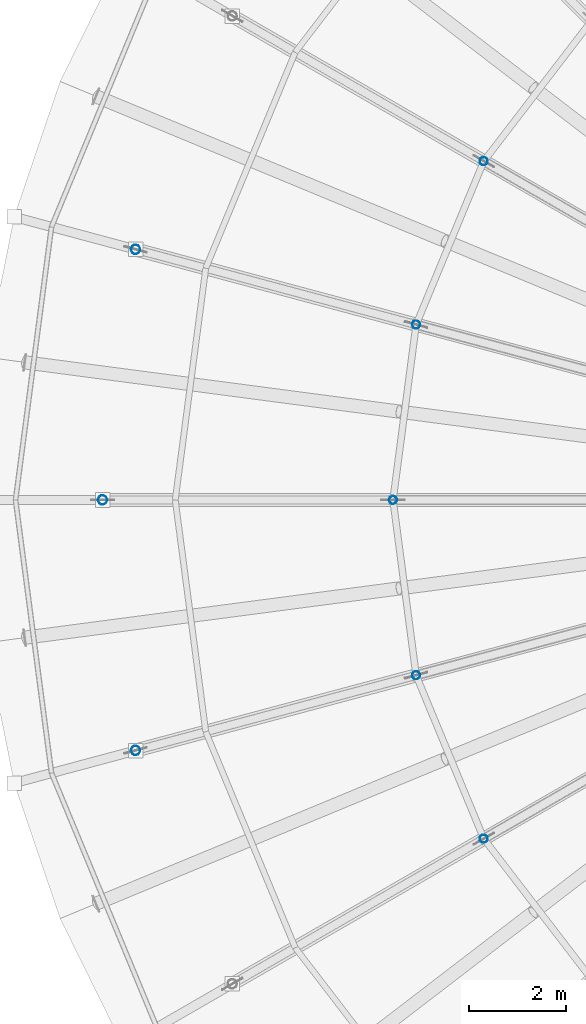
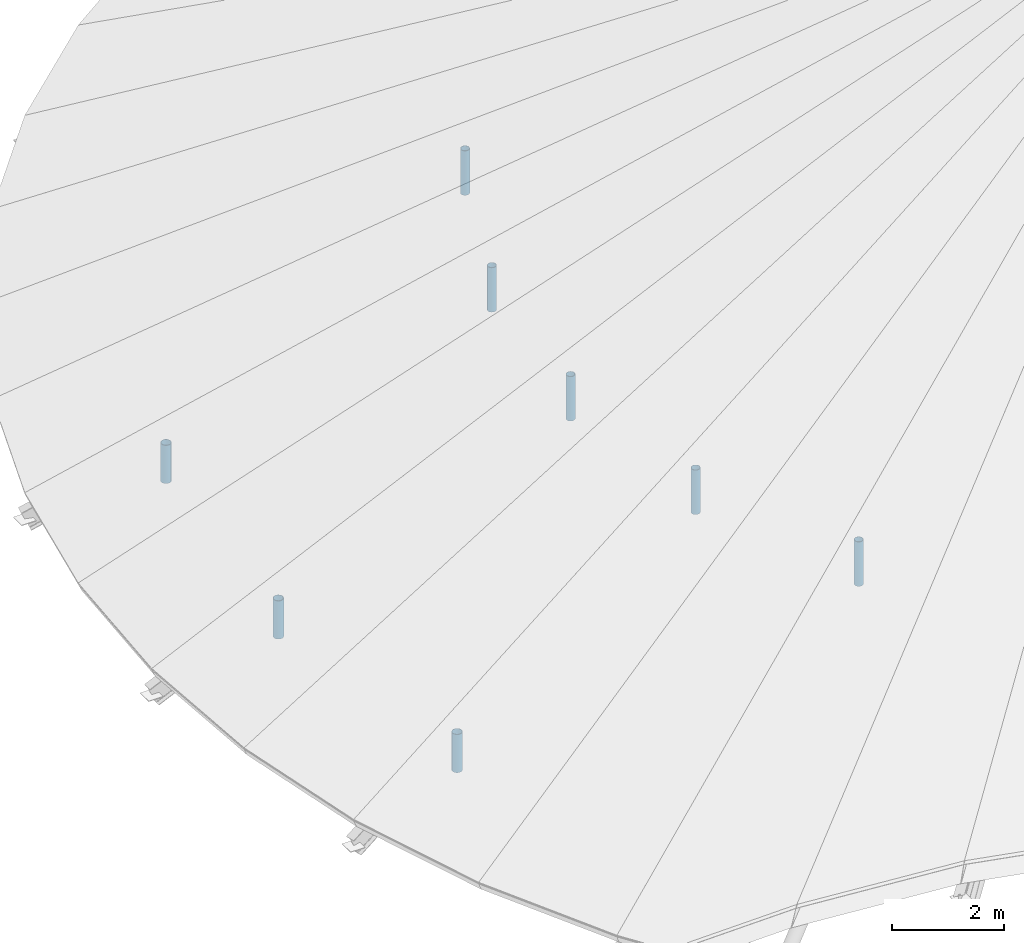
# One storey, part 71 of 107: 8 members.
"""IFC4 building model written with IfcOpenShell, lengths in metres."""

from ifc_helpers import new_model, si_unit, derived_unit, direction, frame, origin, origin_2d, place, context, subcontext, project, spatial, hollow_circle, extrude, material, material_profile, profile_set, type_object, element, save


model = new_model("IFC4")

# Units and contexts
model_context = context("Model", 3, precision=1e-05, world=origin(), true_north=direction((0.0, 1.0)))
body_context = subcontext(model_context, "Body", "Model", "MODEL_VIEW")
ifc_project = project(units=[si_unit("LENGTHUNIT", "METRE"), si_unit("AREAUNIT", "SQUARE_METRE"), si_unit("VOLUMEUNIT", "CUBIC_METRE"), si_unit("PLANEANGLEUNIT", "RADIAN"), si_unit("MASSUNIT", "GRAM", prefix="KILO"), si_unit("THERMODYNAMICTEMPERATUREUNIT", "KELVIN"), si_unit("TIMEUNIT", "SECOND"), derived_unit("THERMALTRANSMITTANCEUNIT", [(si_unit("MASSUNIT", "GRAM", prefix="KILO"), 1), (si_unit("THERMODYNAMICTEMPERATUREUNIT", "KELVIN"), -1), (si_unit("TIMEUNIT", "SECOND"), -3)])], contexts=[model_context])

# Site, building, storey
site_placement = place(None, origin())
site = spatial("IfcSite", under=ifc_project, at=site_placement, CompositionType="ELEMENT")
building_placement = place(site_placement, origin())
building = spatial("IfcBuilding", under=site, at=building_placement, Name="Cambertide Market Hall", CompositionType="ELEMENT")
storey_placement = place(building_placement, frame((0.0, 0.0, 18.300048828125)))
storey = spatial("IfcBuildingStorey", under=building, at=storey_placement, Name="RF", CompositionType="ELEMENT", Elevation=18.300048828125)

# Members
ifc_material_1 = material(Name="Steel S355", Category="steel")
ifc_material_profile_1 = material_profile(ifc_material_1, hollow_circle(Radius=0.084228515625, WallThickness=0.00634765625, at=origin_2d()), Name="CHS 168.3x6.3")
ifc_profile_set_1 = profile_set([ifc_material_profile_1], Name="Steel S355")
member_type_1 = type_object("IfcMemberType", Name="Structural Brace CHS 168.3x6.3", PredefinedType="BRACE", material=ifc_profile_set_1)
for number, where, z_axis, x_axis, name in (
    (1, (29.875732421875, 79.0, -7.756103515625), (0.0, 0.0, 1.0), (1.0, 0.0, 0.0), "RWV-W-08-V2"),
    (2, (28.47705078125, 75.62353515625, -7.756103515625), (0.0, 0.0, 1.0), (1.0, 0.0, 0.0), "RWV-W-10-V2"),
    (3, (28.0, 72.0, -7.756103515625), (0.0, 0.0, 1.0), (1.0, 0.0, 0.0), "RWV-W-12-V2"),
    (4, (28.47705078125, 68.37646484375, -7.756103515625), (0.0, 0.0, 1.0), (1.0, 0.0, 0.0), "RWV-W-14-V2"),
    (5, (29.875732421875, 65.0, -7.756103515625), (0.0, 0.0, 1.0), (1.0, 0.0, 0.0), "RWV-W-16-V2"),
):
    element("IfcMember", number, at=place(storey_placement, frame(where, z_axis=z_axis, x_axis=x_axis)), inside=storey, type_object=member_type_1, Name=name, PredefinedType="BRACE", context=body_context, shape_type="SweptSolid", body=[
        extrude(hollow_circle(Radius=0.084228515625, WallThickness=0.00634765625, at=origin_2d()), origin(), (0.0, 0.0, 1.0), 0.966064453125),
    ])
ifc_material_2 = material(Name="Steel S355", Category="steel")
ifc_material_profile_2 = material_profile(ifc_material_2, hollow_circle(Radius=0.096923828125, WallThickness=0.00634765625, at=origin_2d()), Name="CHS 193.7x6.3")
ifc_profile_set_2 = profile_set([ifc_material_profile_2], Name="Steel S355")
member_type_2 = type_object("IfcMemberType", Name="Structural Brace CHS 193.7x6.3", PredefinedType="BRACE", material=ifc_profile_set_2)
for number, where, z_axis, x_axis, name in (
    (6, (22.681396484375, 77.17626953125, -10.380126953125), (0.0, 0.0, 1.0), (1.0, 0.0, 0.0), "RWV-W-10-V3"),
    (7, (22.0, 72.0, -10.380126953125), (0.0, 0.0, 1.0), (1.0, 0.0, 0.0), "RWV-W-12-V3"),
    (8, (22.681396484375, 66.82373046875, -10.380126953125), (0.0, 0.0, 1.0), (1.0, 0.0, 0.0), "RWV-W-14-V3"),
):
    element("IfcMember", number, at=place(storey_placement, frame(where, z_axis=z_axis, x_axis=x_axis)), inside=storey, type_object=member_type_2, Name=name, PredefinedType="BRACE", context=body_context, shape_type="SweptSolid", body=[
        extrude(hollow_circle(Radius=0.096923828125, WallThickness=0.00634765625, at=origin_2d()), origin(), (0.0, 0.0, 1.0), 0.830078125),
    ])

save(model, "model.ifc")
